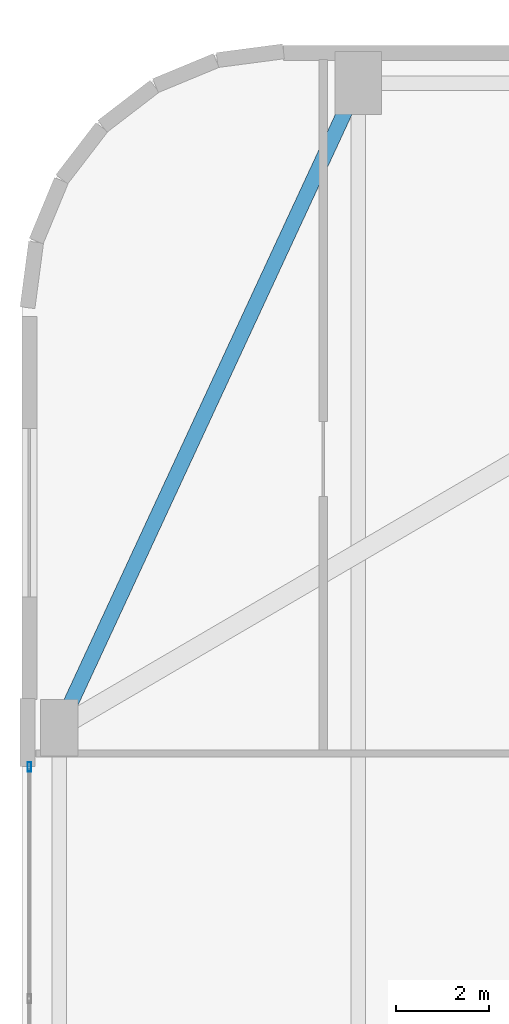
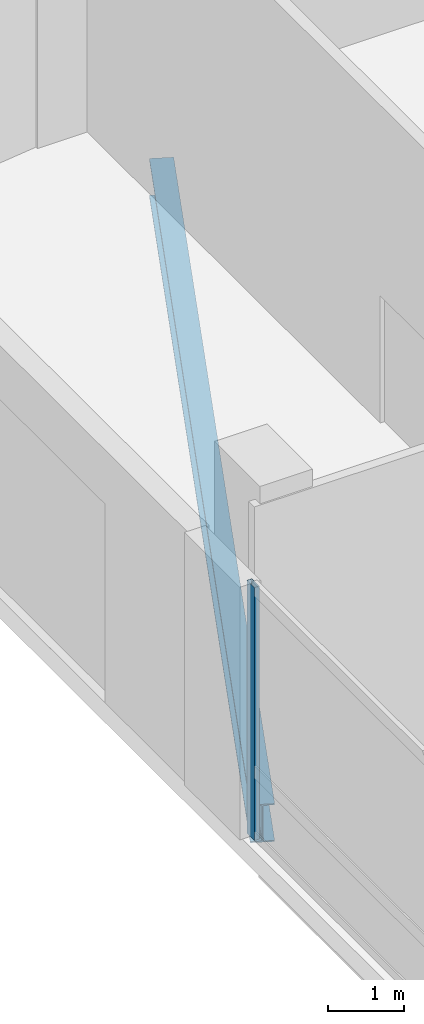
# One storey, part 10 of 26: 1 beam, 1 member, 1 element without a shape of its own.
"""IFC4 building model written with IfcOpenShell, lengths in metres."""

from ifc_helpers import new_model, si_unit, direction, frame, origin, origin_2d, place, context, subcontext, project, spatial, hollow_rectangle, i_section, extrude, material, layer, layer_set, material_profile, profile_set, type_object, element, aggregate, save


model = new_model("IFC4")

# Units and contexts
model_context = context("Model", 3, precision=1e-05, world=origin(), true_north=direction((0.0, 1.0)))
body_context = subcontext(model_context, "Body", "Model", "MODEL_VIEW")
ifc_project = project(units=[si_unit("LENGTHUNIT", "METRE"), si_unit("AREAUNIT", "SQUARE_METRE"), si_unit("VOLUMEUNIT", "CUBIC_METRE"), si_unit("PLANEANGLEUNIT", "RADIAN"), si_unit("MASSUNIT", "GRAM", prefix="KILO")], contexts=[model_context])

# Site, building, storey
site_placement = place(None, origin())
site = spatial("IfcSite", under=ifc_project, at=site_placement, CompositionType="ELEMENT")
building_placement = place(site_placement, origin())
building = spatial("IfcBuilding", under=site, at=building_placement, Name="Varnelok Gate Tower", CompositionType="ELEMENT")
storey_placement = place(building_placement, origin())
storey = spatial("IfcBuildingStorey", under=building, at=storey_placement, Name="L00", CompositionType="ELEMENT", Elevation=0.0)

# Beam
ifc_material_1 = material(Name="Structural Steel ASTM A992 Grade 50", Category="steel")
ifc_material_profile_1 = material_profile(ifc_material_1, i_section(OverallWidth=0.323974609375, OverallDepth=0.611083984375, WebThickness=0.0126953125, FlangeThickness=0.01904296875, FilletRadius=0.01806640625, at=origin_2d()), Name="W24X104")
ifc_profile_set_1 = profile_set([ifc_material_profile_1], Name="Structural Steel ASTM A992 Grade 50")
beam_type = type_object("IfcBeamType", Name="BM-SPN-W24X104", PredefinedType="SPANDREL", material=ifc_profile_set_1)
beam_placement = place(storey_placement, frame((0.85888671875, 36.126953125, -0.62548828125), z_axis=(0.420722638096, 0.907189319709, 0.0), x_axis=(-0.907189319709, 0.420722638096, 0.0)))
element("IfcBeam", 1, at=beam_placement, inside=storey, type_object=beam_type, Name="L00 Podium Primary Girder 9", PredefinedType="SPANDREL", context=body_context, shape_type="SweptSolid", body=[
    extrude(i_section(OverallWidth=0.323974609375, OverallDepth=0.611083984375, WebThickness=0.0126953125, FlangeThickness=0.01904296875, FilletRadius=0.01806640625, at=origin_2d()), origin(), (0.0, 0.0, 1.0), 14.931884765625),
])

# Curtain wall, member
ifc_material_2 = material(Name="Anodized Aluminum Alloy 6063-T6", Category="aluminium")
ifc_layer = layer(ifc_material_2, 0.179931640625)
ifc_layer_set = layer_set([ifc_layer], Name="Anodized Aluminum Alloy 6063-T6")
curtain_wall_type = type_object("IfcCurtainWallType", Name="CW1-ARCH-PORTAL", PredefinedType="USERDEFINED", material=ifc_layer_set)
curtain_wall_placement = place(storey_placement, origin())
curtain_wall = element("IfcCurtainWall", 2, at=curtain_wall_placement, inside=storey, type_object=curtain_wall_type, Name="L00 Podium Portal Curtain Wall W", ObjectType="UNITISED CURTAIN WALL", PredefinedType="USERDEFINED")
ifc_material_profile_2 = material_profile(ifc_material_2, hollow_rectangle(XDim=0.074951171875, YDim=0.199951171875, WallThickness=0.00390625, at=origin_2d()), Name="ALU200X75X4")
ifc_profile_set_2 = profile_set([ifc_material_profile_2], Name="Anodized Aluminum Alloy 6063-T6")
member_type = type_object("IfcMemberType", Name="CW-MULL-200", PredefinedType="MULLION", material=ifc_profile_set_2)
member_placement = place(storey_placement, frame((0.159912109375, 35.16259765625, 0.0), z_axis=(0.0, 0.0, 1.0), x_axis=(-1.0, 0.0, 0.0)))
member = element("IfcMember", 3, at=member_placement, type_object=member_type, Name="CW1 mullion 5", PredefinedType="MULLION", context=body_context, shape_type="SweptSolid", body=[
    extrude(hollow_rectangle(XDim=0.074951171875, YDim=0.199951171875, WallThickness=0.00390625, at=origin_2d()), origin(), (0.0, 0.0, 1.0), 4.070068359375),
])
aggregate(curtain_wall, [member])

save(model, "model.ifc")
